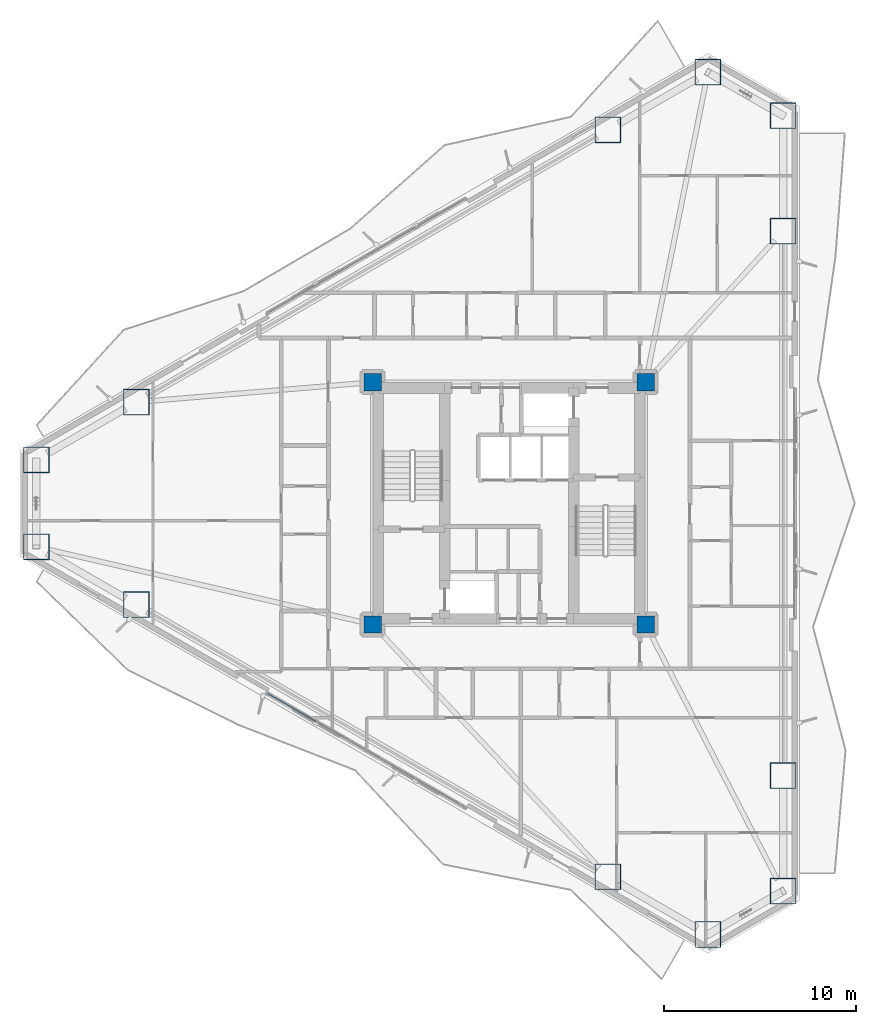
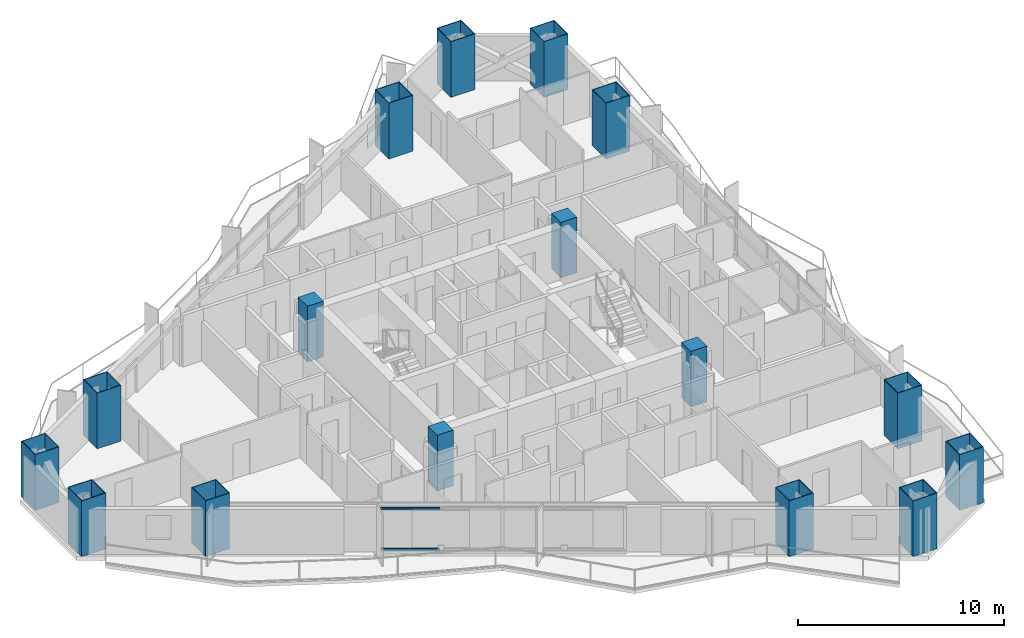
# One storey, part 1 of 19: 16 columns, 2 members, 1 element without a shape of its own.
"""IFC4 building model written with IfcOpenShell, lengths in metres."""

from ifc_helpers import new_model, si_unit, direction, frame, origin, origin_2d, place, context, subcontext, project, spatial, rectangle, hollow_rectangle, extrude, material, layer, layer_set, material_profile, profile_set, type_object, element, aggregate, save


model = new_model("IFC4")

# Units and contexts
model_context = context("Model", 3, precision=1e-05, world=origin(), true_north=direction((0.0, 1.0)))
body_context = subcontext(model_context, "Body", "Model", "MODEL_VIEW")
ifc_project = project(units=[si_unit("LENGTHUNIT", "METRE"), si_unit("AREAUNIT", "SQUARE_METRE"), si_unit("VOLUMEUNIT", "CUBIC_METRE"), si_unit("PLANEANGLEUNIT", "RADIAN"), si_unit("MASSUNIT", "GRAM", prefix="KILO")], contexts=[model_context])

# Site, building, storey
site_placement = place(None, origin())
site = spatial("IfcSite", under=ifc_project, at=site_placement, CompositionType="ELEMENT")
building_placement = place(site_placement, origin())
building = spatial("IfcBuilding", under=site, at=building_placement, Name="Mersakhor Tower and Convention Hall", CompositionType="ELEMENT")
storey_placement = place(building_placement, frame((0.0, 0.0, 25.800048828125)))
storey = spatial("IfcBuildingStorey", under=building, at=storey_placement, Name="L06", CompositionType="ELEMENT", Elevation=25.800048828125)

# Columns
ifc_material_1 = material(Name="Concrete C70/85 in S460M steel box", Category="concrete")
ifc_material_profile_1 = material_profile(ifc_material_1, hollow_rectangle(XDim=1.35009765625, YDim=1.35009765625, WallThickness=0.035888671875, at=origin_2d()), Name="SHS 1350x1350x36")
ifc_profile_set_1 = profile_set([ifc_material_profile_1], Name="Concrete C70/85 in S460M steel box")
column_type_1 = type_object("IfcColumnType", Name="COL-CFT-1350", PredefinedType="COLUMN", material=ifc_profile_set_1)
for number, where, z_axis, x_axis, name in (
    (1, (4.4130859375, 29.00927734375, 0.0), (0.0, 0.0, 1.0), (1.0, 0.0, 0.0), "L06 Perimeter Mega-Column MC-01"),
    (2, (9.61669921875, 32.013671875, 0.0), (0.0, 0.0, 1.0), (1.0, 0.0, 0.0), "L06 Perimeter Mega-Column MC-02"),
    (3, (34.13330078125, 46.168212890625, 0.0), (0.0, 0.0, 1.0), (1.0, 0.0, 0.0), "L06 Perimeter Mega-Column MC-03"),
    (4, (39.3369140625, 49.172607421875, 0.0), (0.0, 0.0, 1.0), (1.0, 0.0, 0.0), "L06 Perimeter Mega-Column MC-04"),
    (5, (43.25, 46.913330078125, 0.0), (0.0, 0.0, 1.0), (1.0, 0.0, 0.0), "L06 Perimeter Mega-Column MC-05"),
    (6, (43.25, 40.904541015625, 0.0), (0.0, 0.0, 1.0), (1.0, 0.0, 0.0), "L06 Perimeter Mega-Column MC-06"),
    (7, (43.25, 12.595458984375, 0.0), (0.0, 0.0, 1.0), (1.0, 0.0, 0.0), "L06 Perimeter Mega-Column MC-07"),
    (8, (43.25, 6.586669921875, 0.0), (0.0, 0.0, 1.0), (1.0, 0.0, 0.0), "L06 Perimeter Mega-Column MC-08"),
    (9, (39.3369140625, 4.327392578125, 0.0), (0.0, 0.0, 1.0), (1.0, 0.0, 0.0), "L06 Perimeter Mega-Column MC-09"),
    (10, (34.13330078125, 7.331787109375, 0.0), (0.0, 0.0, 1.0), (1.0, 0.0, 0.0), "L06 Perimeter Mega-Column MC-10"),
    (11, (9.61669921875, 21.486328125, 0.0), (0.0, 0.0, 1.0), (1.0, 0.0, 0.0), "L06 Perimeter Mega-Column MC-11"),
    (12, (4.4130859375, 24.49072265625, 0.0), (0.0, 0.0, 1.0), (1.0, 0.0, 0.0), "L06 Perimeter Mega-Column MC-12"),
):
    element("IfcColumn", number, at=place(storey_placement, frame(where, z_axis=z_axis, x_axis=x_axis)), inside=storey, type_object=column_type_1, Name=name, PredefinedType="COLUMN", context=body_context, shape_type="SweptSolid", body=[
        extrude(hollow_rectangle(XDim=1.35009765625, YDim=1.35009765625, WallThickness=0.035888671875, at=origin_2d()), origin(), (0.0, 0.0, 1.0), 3.300048828125),
    ])
ifc_material_2 = material(Name="Concrete C60/75", Category="concrete")
ifc_material_profile_2 = material_profile(ifc_material_2, rectangle(XDim=0.89990234375, YDim=0.89990234375, at=origin_2d()), Name="RC 900x900")
ifc_profile_set_2 = profile_set([ifc_material_profile_2], Name="Concrete C60/75")
column_type_2 = type_object("IfcColumnType", Name="COL-RC-900", PredefinedType="COLUMN", material=ifc_profile_set_2)
for number, where, z_axis, x_axis, name in (
    (13, (21.89990234375, 20.449951171875, 0.0), (0.0, 0.0, 1.0), (1.0, 0.0, 0.0), "L06 Core Corner Column CC-1"),
    (14, (21.89990234375, 33.050048828125, 0.0), (0.0, 0.0, 1.0), (1.0, 0.0, 0.0), "L06 Core Corner Column CC-2"),
    (15, (36.10009765625, 33.050048828125, 0.0), (0.0, 0.0, 1.0), (1.0, 0.0, 0.0), "L06 Core Corner Column CC-3"),
    (16, (36.10009765625, 20.449951171875, 0.0), (0.0, 0.0, 1.0), (1.0, 0.0, 0.0), "L06 Core Corner Column CC-4"),
):
    element("IfcColumn", number, at=place(storey_placement, frame(where, z_axis=z_axis, x_axis=x_axis)), inside=storey, type_object=column_type_2, Name=name, PredefinedType="COLUMN", context=body_context, shape_type="SweptSolid", body=[
        extrude(rectangle(XDim=0.89990234375, YDim=0.89990234375, at=origin_2d()), origin(), (0.0, 0.0, 1.0), 3.300048828125),
    ])

# Curtain wall, members
ifc_material_3 = material(Name="Dark solar low-E aluminium curtain wall", Category="aluminium")
ifc_layer = layer(ifc_material_3, 0.159912109375)
ifc_layer_set = layer_set([ifc_layer], Name="Dark solar low-E aluminium curtain wall")
curtain_wall_type = type_object("IfcCurtainWallType", Name="CW-SYS-01", PredefinedType="USERDEFINED", material=ifc_layer_set)
curtain_wall_placement = place(storey_placement, origin())
curtain_wall = element("IfcCurtainWall", 17, at=curtain_wall_placement, inside=storey, type_object=curtain_wall_type, Name="L06 Dark-Glass Curtain Wall F3-B2", ObjectType="CURTAIN WALL", PredefinedType="USERDEFINED")
ifc_material_4 = material(Name="Anodised aluminium EN AW-6063 T6", Category="aluminium")
ifc_material_profile_3 = material_profile(ifc_material_4, hollow_rectangle(XDim=0.06005859375, YDim=0.1201171875, WallThickness=0.0048828125, at=origin_2d()), Name="RHS 120x60x5")
ifc_profile_set_3 = profile_set([ifc_material_profile_3], Name="Anodised aluminium EN AW-6063 T6")
member_type = type_object("IfcMemberType", Name="CWT-120x60", PredefinedType="USERDEFINED", material=ifc_profile_set_3)
member_1_placement = place(storey_placement, frame((18.9501953125, 15.40478515625, 0.22998046875), z_axis=(-0.866002100865, 0.500040359669, 0.0), x_axis=(-0.500040359669, -0.866002100865, 0.0)))
member_1 = element("IfcMember", 18, at=member_1_placement, type_object=member_type, Name="CW-01 transom 4.1", ObjectType="TRANSOM", PredefinedType="USERDEFINED", context=body_context, shape_type="SweptSolid", body=[
    extrude(hollow_rectangle(XDim=0.06005859375, YDim=0.1201171875, WallThickness=0.0048828125, at=origin_2d()), origin(), (0.0, 0.0, 1.0), 2.880615234375),
])
member_2_placement = place(storey_placement, frame((18.9501953125, 15.40478515625, 2.6298828125), z_axis=(-0.866002100865, 0.500040359669, 0.0), x_axis=(-0.500040359669, -0.866002100865, 0.0)))
member_2 = element("IfcMember", 19, at=member_2_placement, type_object=member_type, Name="CW-01 transom 4.2", ObjectType="TRANSOM", PredefinedType="USERDEFINED", context=body_context, shape_type="SweptSolid", body=[
    extrude(hollow_rectangle(XDim=0.06005859375, YDim=0.1201171875, WallThickness=0.0048828125, at=origin_2d()), origin(), (0.0, 0.0, 1.0), 2.880615234375),
])
aggregate(curtain_wall, [member_1, member_2])

save(model, "model.ifc")
